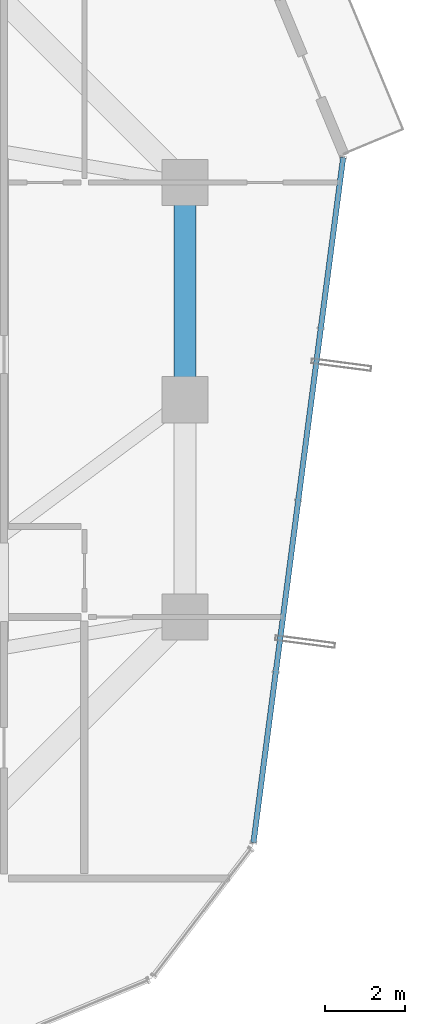
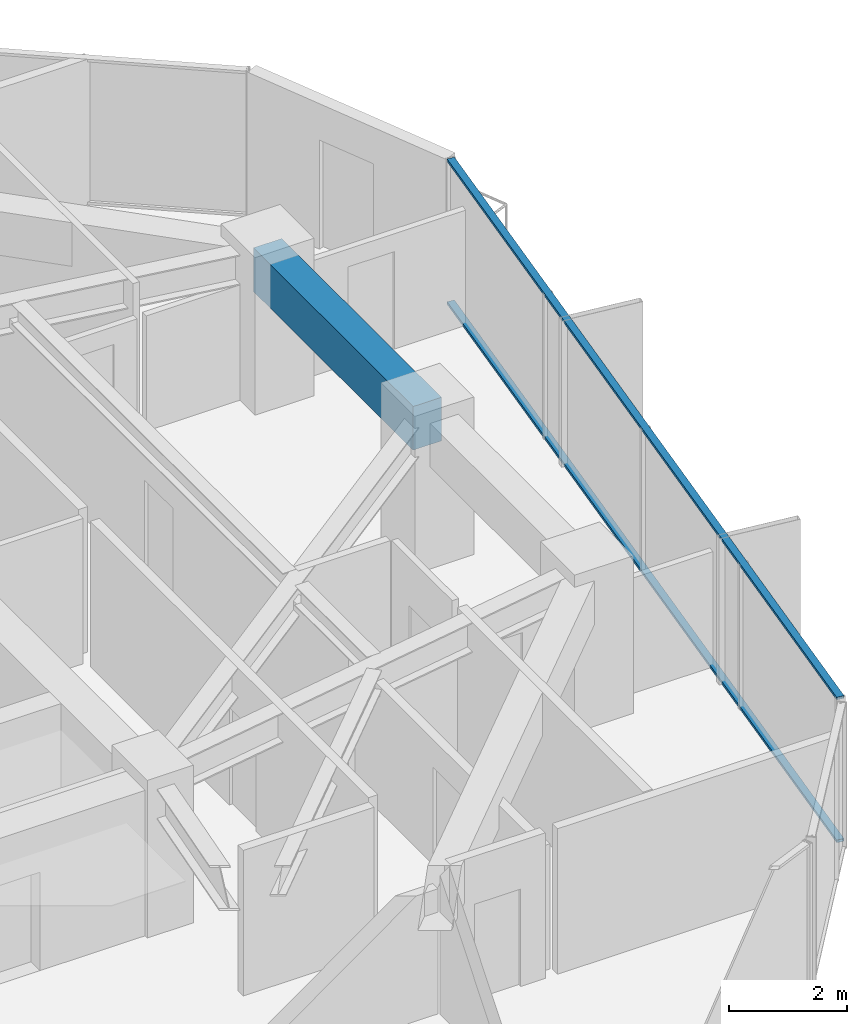
# One storey, part 15 of 30: 2 members, 1 beam, 1 element without a shape of its own.
"""IFC4 building model written with IfcOpenShell, lengths in metres."""

import ifcopenshell
import ifcopenshell.guid

model = None  # the IFC model being written
_history = None  # IfcOwnerHistory: only IFC2X3 demands one
_inside = {}  # id of a spatial element -> (the spatial element, [elements in it])
_under = {}  # id of a project, library or spatial element -> (it, [spatial elements below it])
_declared = {}  # id of a project -> (the project, [libraries it declares])
_typed = {}  # id of a type object -> (the type object, [elements of that type])
_made_of = {}  # id of a material, layer set ... -> (it, [elements and type objects made of it])


def new_model(schema):
    """Start an empty IFC model of exactly this schema.

    Asked for "IFC4X3", IfcOpenShell would pick the latest addendum, in which some entities
    have other attributes; the version numbers below select the first issue.
    IFC2X3 requires an IfcOwnerHistory on every rooted entity: one is made here for all.
    """
    global model, _history
    if schema == "IFC4X3":
        model = ifcopenshell.file(schema_version=(4, 3, 0, 0))
    else:
        model = ifcopenshell.file(schema=schema)
    _inside.clear()
    _under.clear()
    _declared.clear()
    _typed.clear()
    _made_of.clear()
    _history = None
    if model.schema == "IFC2X3":
        org = make("IfcOrganization", Name="unknown")
        user = make(
            "IfcPersonAndOrganization",
            ThePerson=make("IfcPerson", FamilyName="unknown"),
            TheOrganization=org,
        )
        app = make(
            "IfcApplication",
            ApplicationDeveloper=org,
            Version="unknown",
            ApplicationFullName="unknown",
            ApplicationIdentifier="unknown",
        )
        _history = make(
            "IfcOwnerHistory",
            OwningUser=user,
            OwningApplication=app,
            ChangeAction="ADDED",
            CreationDate=0,
        )
    return model


def make(cls, **values):
    """One entity of the class cls with the attributes given. An attribute that is None is left unset."""
    return model.create_entity(
        cls, **{name: value for name, value in values.items() if value is not None}
    )


def rooted(cls, **values):
    """An entity with a GlobalId (a new one), such as an element, a storey or a relation."""
    return make(cls, GlobalId=ifcopenshell.guid.new(), OwnerHistory=_history, **values)


def si_unit(unit_type, name, prefix=None):
    """IfcSIUnit, for example si_unit("LENGTHUNIT", "METRE", prefix="MILLI")."""
    return make("IfcSIUnit", UnitType=unit_type, Prefix=prefix, Name=name)


def assignment(units):
    """IfcUnitAssignment: the units of a project."""
    return None if units is None else make("IfcUnitAssignment", Units=units)


def point(xyz):
    """IfcCartesianPoint."""
    return None if xyz is None else make("IfcCartesianPoint", Coordinates=xyz)


def direction(xyz):
    """IfcDirection."""
    return None if xyz is None else make("IfcDirection", DirectionRatios=xyz)


def frame(location, z_axis=None, x_axis=None):
    """IfcAxis2Placement3D, a coordinate frame: its origin and axes. An axis left out is left unset."""
    return make(
        "IfcAxis2Placement3D",
        Location=point(location),
        Axis=direction(z_axis),
        RefDirection=direction(x_axis),
    )


def frame_2d(location, x_axis=None):
    """IfcAxis2Placement2D, a coordinate frame in the plane: its origin and x axis."""
    return make(
        "IfcAxis2Placement2D", Location=point(location), RefDirection=direction(x_axis)
    )


def origin():
    """The frame at (0, 0, 0) with its axes left unset."""
    return frame((0.0, 0.0, 0.0))


def origin_2d():
    """The frame at (0, 0) in the plane with its x axis left unset."""
    return frame_2d((0.0, 0.0))


def place(relative_to, where):
    """IfcLocalPlacement: puts the frame where relative to a parent placement (None: the world)."""
    return make(
        "IfcLocalPlacement", PlacementRelTo=relative_to, RelativePlacement=where
    )


def context(
    kind, dimensions, precision=None, world=None, true_north=None, identifier=None
):
    """IfcGeometricRepresentationContext, for example the 3D "Model" context."""
    return make(
        "IfcGeometricRepresentationContext",
        ContextIdentifier=identifier,
        ContextType=kind,
        CoordinateSpaceDimension=dimensions,
        Precision=precision,
        WorldCoordinateSystem=world,
        TrueNorth=true_north,
    )


def subcontext(parent, identifier, kind, view, scale=None):
    """IfcGeometricRepresentationSubContext, for example "Body" below "Model"."""
    return make(
        "IfcGeometricRepresentationSubContext",
        ContextIdentifier=identifier,
        ContextType=kind,
        ParentContext=parent,
        TargetScale=scale,
        TargetView=view,
    )


def project(units=None, contexts=None):
    """IfcProject with its units and contexts."""
    return rooted(
        "IfcProject",
        Name="project",
        RepresentationContexts=contexts,
        UnitsInContext=assignment(units),
    )


def spatial(cls, under=None, at=None, **own):
    """A site, building, storey or space (cls), placed at a placement, below another one or the project."""
    s = rooted(cls, ObjectPlacement=at, **own)
    if under is not None:
        _under.setdefault(under.id(), (under, []))[1].append(s)
    return s


def profile(cls, at=None, kind="AREA", **sizes):
    """A parametric profile (cls). Its sizes go by their IFC names, for example OverallWidth=200.0."""
    return make(cls, ProfileType=kind, Position=at, **sizes)


def rectangle(**sizes):
    """IfcRectangleProfileDef."""
    return profile("IfcRectangleProfileDef", **sizes)


def hollow_rectangle(**sizes):
    """IfcRectangleHollowProfileDef."""
    return profile("IfcRectangleHollowProfileDef", **sizes)


def extrude(swept, where, along, depth):
    """IfcExtrudedAreaSolid: the profile swept, set in the frame where, extruded along a direction by depth."""
    return make(
        "IfcExtrudedAreaSolid",
        SweptArea=swept,
        Position=where,
        ExtrudedDirection=direction(along),
        Depth=depth,
    )


def shape(context_of_items, identifier, shape_type, items):
    """IfcShapeRepresentation: the items that make up one representation, for example the "Body"."""
    return make(
        "IfcShapeRepresentation",
        ContextOfItems=context_of_items,
        RepresentationIdentifier=identifier,
        RepresentationType=shape_type,
        Items=items,
    )


def source(mapping_origin, context_of_items, identifier, shape_type, items):
    """IfcRepresentationMap: a shape defined once, which mapped items show again and again."""
    return make(
        "IfcRepresentationMap",
        MappingOrigin=mapping_origin,
        MappedRepresentation=shape(context_of_items, identifier, shape_type, items),
    )


def transform(
    local_origin,
    x_axis=None,
    y_axis=None,
    z_axis=None,
    scale=None,
    scale2=None,
    scale3=None,
    uniform=True,
):
    """IfcCartesianTransformationOperator3D, or its non-uniform kind. x_axis, y_axis, z_axis: its Axis1, 2, 3."""
    if uniform:
        return make(
            "IfcCartesianTransformationOperator3D",
            Axis1=direction(x_axis),
            Axis2=direction(y_axis),
            LocalOrigin=point(local_origin),
            Scale=scale,
            Axis3=direction(z_axis),
        )
    return make(
        "IfcCartesianTransformationOperator3DnonUniform",
        Axis1=direction(x_axis),
        Axis2=direction(y_axis),
        LocalOrigin=point(local_origin),
        Scale=scale,
        Axis3=direction(z_axis),
        Scale2=scale2,
        Scale3=scale3,
    )


def mapped(mapping_source, mapping_target):
    """IfcMappedItem: shows the shape of a source again, moved by a transform."""
    return make(
        "IfcMappedItem", MappingSource=mapping_source, MappingTarget=mapping_target
    )


def material(Name=None, Category=None):
    """IfcMaterial."""
    return make("IfcMaterial", Name=Name, Category=Category)


def layer(
    of_material, thickness, ventilated=None, Name=None, Category=None, Priority=None
):
    """IfcMaterialLayer: one layer of a wall or slab, of a material (None: an air gap)."""
    return make(
        "IfcMaterialLayer",
        Material=of_material,
        LayerThickness=thickness,
        IsVentilated=ventilated,
        Name=Name,
        Category=Category,
        Priority=Priority,
    )


def layer_set(layers, Name=None):
    """IfcMaterialLayerSet."""
    return make("IfcMaterialLayerSet", MaterialLayers=layers, LayerSetName=Name)


def material_profile(
    of_material, cross_section, Name=None, Category=None, Priority=None
):
    """IfcMaterialProfile: a cross section and its material."""
    return make(
        "IfcMaterialProfile",
        Name=Name,
        Material=of_material,
        Profile=cross_section,
        Priority=Priority,
        Category=Category,
    )


def profile_set(profiles, Name=None, composite=None):
    """IfcMaterialProfileSet."""
    return make(
        "IfcMaterialProfileSet",
        Name=Name,
        MaterialProfiles=profiles,
        CompositeProfile=composite,
    )


def made_of(thing, what):
    """Note that an element or type object is made of a material, layer set ...; save() writes the relation."""
    if what is not None:
        _made_of.setdefault(what.id(), (what, []))[1].append(thing)
    return thing


def type_object(cls, material=None, **own):
    """A type object (cls), such as IfcWallType, which elements share."""
    return made_of(rooted(cls, **own), material)


def element(
    cls,
    number,
    at=None,
    inside=None,
    cuts=None,
    type_object=None,
    material=None,
    context=None,
    identifier="Body",
    shape_type=None,
    held_by="IfcProductDefinitionShape",
    body=None,
    shapes=None,
    **own,
):
    """One element of the class cls, such as IfcWall. Its Tag is "e" and its number.

    at: its placement. inside: the storey or other place that contains it. cuts: it is an
    opening in that element (IfcRelVoidsElement). A single representation is given by context,
    identifier, shape_type and body (its items); several are given by shapes. held_by: the class
    of the entity that holds the representations. save() writes the other relations.
    """
    e = rooted(cls, Tag="e%d" % number, ObjectPlacement=at, **own)
    if body is not None:
        shapes = [shape(context, identifier, shape_type, body)]
    if shapes is not None:
        e.Representation = make(held_by, Representations=shapes)
    if inside is not None:
        _inside.setdefault(inside.id(), (inside, []))[1].append(e)
    if cuts is not None:
        rooted(
            "IfcRelVoidsElement", RelatingBuildingElement=cuts, RelatedOpeningElement=e
        )
    if type_object is not None:
        _typed.setdefault(type_object.id(), (type_object, []))[1].append(e)
    return made_of(e, material)


def aggregate(whole, parts):
    """IfcRelAggregates: a whole, such as a stair, and the parts it consists of."""
    return rooted("IfcRelAggregates", RelatingObject=whole, RelatedObjects=parts)


def save(model, path):
    """Write the relations noted so far, then the file.

    IfcRelAggregates (storeys below a building ...), IfcRelContainedInSpatialStructure (elements
    in a storey), IfcRelDefinesByType, IfcRelAssociatesMaterial and IfcRelDeclares: one each for
    every whole, place, type object, material and project.
    """
    for whole, parts in _under.values():
        aggregate(whole, parts)
    for where, things in _inside.values():
        rooted(
            "IfcRelContainedInSpatialStructure",
            RelatedElements=things,
            RelatingStructure=where,
        )
    for kind, things in _typed.values():
        rooted("IfcRelDefinesByType", RelatedObjects=things, RelatingType=kind)
    for what, things in _made_of.values():
        rooted("IfcRelAssociatesMaterial", RelatedObjects=things, RelatingMaterial=what)
    for by, libraries in _declared.values():
        rooted("IfcRelDeclares", RelatingContext=by, RelatedDefinitions=libraries)
    model.write(path)


model = new_model("IFC4")

# Units and contexts
model_context = context("Model", 3, precision=1e-05, world=origin(), true_north=direction((0.0, 1.0)))
body_context = subcontext(model_context, "Body", "Model", "MODEL_VIEW")
ifc_project = project(units=[si_unit("LENGTHUNIT", "METRE"), si_unit("AREAUNIT", "SQUARE_METRE"), si_unit("VOLUMEUNIT", "CUBIC_METRE"), si_unit("PLANEANGLEUNIT", "RADIAN"), si_unit("MASSUNIT", "GRAM", prefix="KILO")], contexts=[model_context])

# Site, building, storey
site_placement = place(None, origin())
site = spatial("IfcSite", under=ifc_project, at=site_placement, CompositionType="ELEMENT")
building_placement = place(site_placement, origin())
building = spatial("IfcBuilding", under=site, at=building_placement, Name="Veraguas Prism Commons", CompositionType="ELEMENT")
storey_placement = place(building_placement, frame((0.0, 0.0, 102.449951171875)))
storey = spatial("IfcBuildingStorey", under=building, at=storey_placement, Name="L28", CompositionType="ELEMENT", Elevation=102.449951171875)

# Beam
ifc_material_1 = material(Name="Concrete C50/60", Category="concrete")
ifc_material_profile_1 = material_profile(ifc_material_1, rectangle(XDim=0.550048828125, YDim=0.89990234375, at=origin_2d()), Name="RC550X900")
ifc_profile_set_1 = profile_set([ifc_material_profile_1], Name="Concrete C50/60")
beam_type = type_object("IfcBeamType", Name="Perimeter Spandrel Lower RC 550x900", PredefinedType="SPANDREL", material=ifc_profile_set_1)
beam_placement = place(storey_placement, frame((40.199951171875, 24.0, 2.550048828125), z_axis=(0.0, 1.0, 0.0), x_axis=(-1.0, 0.0, 0.0)))
element("IfcBeam", 1, at=beam_placement, inside=storey, type_object=beam_type, Name="Perimeter Spandrel Beam L28-SP02", PredefinedType="SPANDREL", context=body_context, shape_type="SweptSolid", body=[
    extrude(rectangle(XDim=0.550048828125, YDim=0.89990234375, at=origin_2d()), origin(), (0.0, 0.0, 1.0), 5.39990234375),
])

# Curtain wall, members
ifc_material_2 = material(Name="Anodised aluminium EN AW-6063 T6", Category="aluminium")
ifc_layer = layer(ifc_material_2, 0.169921875, Name="Unitised Flush Curtain Wall Zone 2", Category="aluminium")
ifc_layer_set = layer_set([ifc_layer], Name="Anodised aluminium EN AW-6063 T6")
curtain_wall_type = type_object("IfcCurtainWallType", Name="Unitised Flush Curtain Wall Zone 2", PredefinedType="NOTDEFINED", material=ifc_layer_set)
curtain_wall_placement = place(storey_placement, origin())
curtain_wall = element("IfcCurtainWall", 2, at=curtain_wall_placement, inside=storey, type_object=curtain_wall_type, Name="Tower Facade Curtain Wall L28-F6", PredefinedType="NOTDEFINED")
ifc_material_profile_2 = material_profile(ifc_material_2, hollow_rectangle(XDim=0.054931640625, YDim=0.135009765625, WallThickness=0.0029296875, at=origin_2d()), Name="AL55X135X3")
ifc_profile_set_2 = profile_set([ifc_material_profile_2], Name="Anodised aluminium EN AW-6063 T6")
member_type = type_object("IfcMemberType", Name="Curtain Wall Transom Standard AL 55x135x3", PredefinedType="USERDEFINED", material=ifc_profile_set_2)
shared_shape = source(origin(), body_context, "Body", "SweptSolid", [
    extrude(hollow_rectangle(XDim=0.054931640625, YDim=0.135009765625, WallThickness=0.0029296875, at=origin_2d()), origin(), (0.0, 0.0, 1.0), 17.17431640625),
])
member_1_placement = place(storey_placement, frame((41.9052734375, 12.994873046875, 0.027587890625), z_axis=(0.129828990896, 0.991536400302, 0.0), x_axis=(0.0, 0.0, 1.0)))
member_1 = element("IfcMember", 3, at=member_1_placement, type_object=member_type, Name="CW-Z2 Transom 1", ObjectType="TRANSOM", PredefinedType="USERDEFINED", context=body_context, shape_type="MappedRepresentation", body=[
    mapped(shared_shape, transform((0.0, 0.0, 0.0), scale=1.0)),
])
member_2_placement = place(storey_placement, frame((41.9052734375, 12.994873046875, 2.97265625), z_axis=(0.129828990896, 0.991536400302, 0.0), x_axis=(0.0, 0.0, 1.0)))
member_2 = element("IfcMember", 4, at=member_2_placement, type_object=member_type, Name="CW-Z2 Transom 2", ObjectType="TRANSOM", PredefinedType="USERDEFINED", context=body_context, shape_type="MappedRepresentation", body=[
    mapped(shared_shape, transform((0.0, 0.0, 0.0), scale=1.0)),
])
aggregate(curtain_wall, [member_1, member_2])

save(model, "model.ifc")
